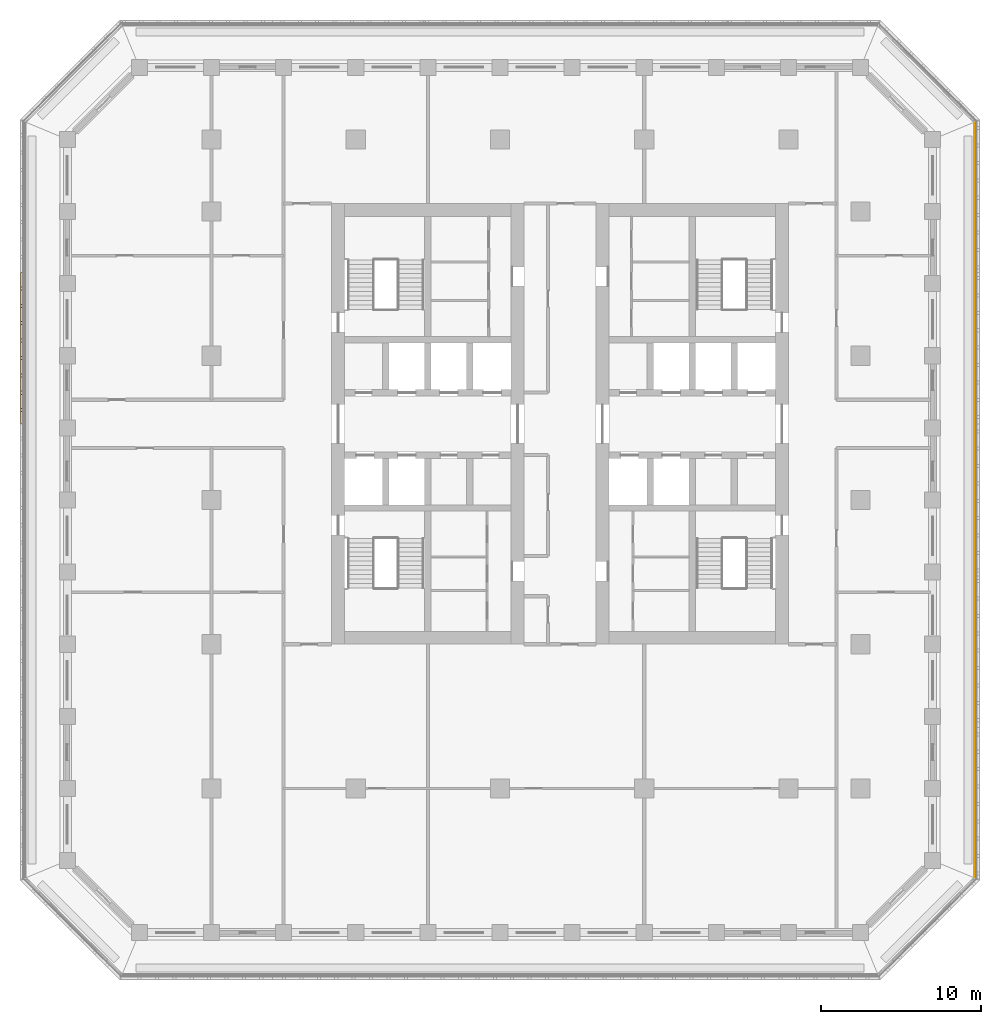
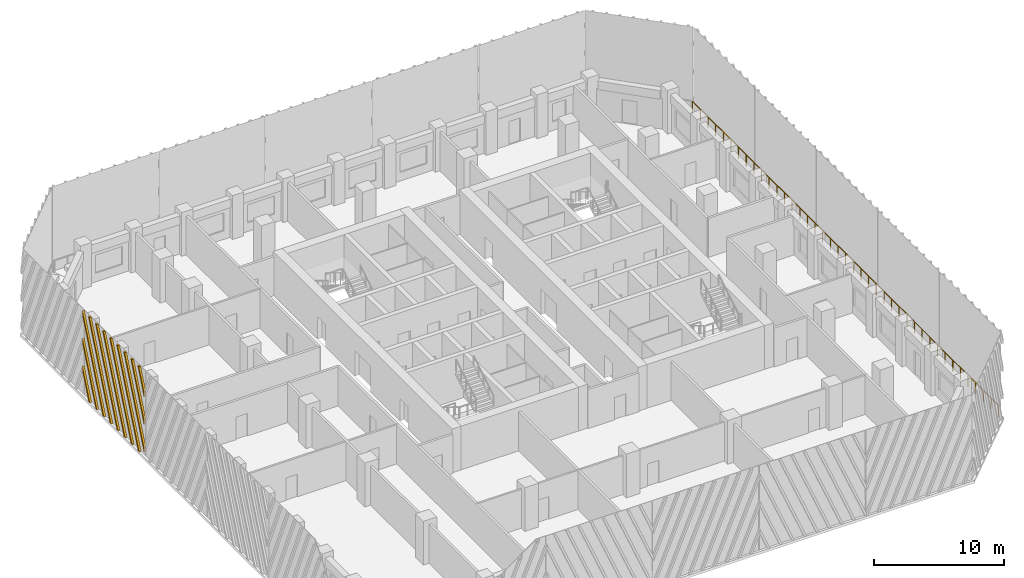
# One storey, part 12 of 16: 1 railing, 1 shading device.
"""IFC4 building model written with IfcOpenShell, lengths in metres."""

from ifc_helpers import new_model, si_unit, direction, frame, origin, origin_2d, place, context, subcontext, project, spatial, polyline, circle, outline, extrude, source, transform, mapped, material, type_object, element, save


model = new_model("IFC4")

# Units and contexts
model_context = context("Model", 3, precision=1e-05, world=origin(), true_north=direction((0.0, 1.0)))
body_context = subcontext(model_context, "Body", "Model", "MODEL_VIEW")
ifc_project = project(units=[si_unit("LENGTHUNIT", "METRE"), si_unit("AREAUNIT", "SQUARE_METRE"), si_unit("VOLUMEUNIT", "CUBIC_METRE"), si_unit("PLANEANGLEUNIT", "RADIAN"), si_unit("MASSUNIT", "GRAM", prefix="KILO")], contexts=[model_context])

# Site, building, storey
site_placement = place(None, origin())
site = spatial("IfcSite", under=ifc_project, at=site_placement, CompositionType="ELEMENT")
building_placement = place(site_placement, origin())
building = spatial("IfcBuilding", under=site, at=building_placement, Name="Corbel Stack Research Tower", CompositionType="ELEMENT")
storey_placement = place(building_placement, frame((0.0, 0.0, 165.0)))
storey = spatial("IfcBuildingStorey", under=building, at=storey_placement, Name="L37", CompositionType="ELEMENT", Elevation=165.0)

# Railing
ifc_material_1 = material(Name="Powder-coated steel guard", Category="steel")
railing_type = type_object("IfcRailingType", Name="Steel and glass guard 1100", PredefinedType="GUARDRAIL", material=ifc_material_1)
railing_placement = place(storey_placement, frame((29.60009765625, -23.50537109375, 0.0)))
element("IfcRailing", 1, at=railing_placement, inside=storey, type_object=railing_type, Name="Loggia guard L37 E", PredefinedType="GUARDRAIL", context=body_context, shape_type="SweptSolid", body=[
    extrude(circle(Radius=0.02392578125, at=origin_2d()), frame((0.0, 0.0, 1.076171875), z_axis=(0.0, 1.0, 0.0), x_axis=(-1.0, 0.0, 0.0)), (0.0, 0.0, 1.0), 47.0107421875),
    extrude(circle(Radius=0.02099609375, at=origin_2d()), origin(), (0.0, 0.0, 1.0), 1.052001953125),
    extrude(circle(Radius=0.02099609375, at=origin_2d()), frame((0.0, 1.17529296875, 0.0)), (0.0, 0.0, 1.0), 1.052001953125),
    extrude(circle(Radius=0.02099609375, at=origin_2d()), frame((0.0, 2.3505859375, 0.0)), (0.0, 0.0, 1.0), 1.052001953125),
    extrude(circle(Radius=0.02099609375, at=origin_2d()), frame((0.0, 3.52587890625, 0.0)), (0.0, 0.0, 1.0), 1.052001953125),
    extrude(circle(Radius=0.02099609375, at=origin_2d()), frame((0.0, 4.701171875, 0.0)), (0.0, 0.0, 1.0), 1.052001953125),
    extrude(circle(Radius=0.02099609375, at=origin_2d()), frame((0.0, 5.87646484375, 0.0)), (0.0, 0.0, 1.0), 1.052001953125),
    extrude(circle(Radius=0.02099609375, at=origin_2d()), frame((0.0, 7.051513671875, 0.0)), (0.0, 0.0, 1.0), 1.052001953125),
    extrude(circle(Radius=0.02099609375, at=origin_2d()), frame((0.0, 8.226806640625, 0.0)), (0.0, 0.0, 1.0), 1.052001953125),
    extrude(circle(Radius=0.02099609375, at=origin_2d()), frame((0.0, 9.402099609375, 0.0)), (0.0, 0.0, 1.0), 1.052001953125),
    extrude(circle(Radius=0.02099609375, at=origin_2d()), frame((0.0, 10.577392578125, 0.0)), (0.0, 0.0, 1.0), 1.052001953125),
    extrude(circle(Radius=0.02099609375, at=origin_2d()), frame((0.0, 11.752685546875, 0.0)), (0.0, 0.0, 1.0), 1.052001953125),
    extrude(circle(Radius=0.02099609375, at=origin_2d()), frame((0.0, 12.927978515625, 0.0)), (0.0, 0.0, 1.0), 1.052001953125),
    extrude(circle(Radius=0.02099609375, at=origin_2d()), frame((0.0, 14.103271484375, 0.0)), (0.0, 0.0, 1.0), 1.052001953125),
    extrude(circle(Radius=0.02099609375, at=origin_2d()), frame((0.0, 15.278564453125, 0.0)), (0.0, 0.0, 1.0), 1.052001953125),
    extrude(circle(Radius=0.02099609375, at=origin_2d()), frame((0.0, 16.453857421875, 0.0)), (0.0, 0.0, 1.0), 1.052001953125),
    extrude(circle(Radius=0.02099609375, at=origin_2d()), frame((0.0, 17.62890625, 0.0)), (0.0, 0.0, 1.0), 1.052001953125),
    extrude(circle(Radius=0.02099609375, at=origin_2d()), frame((0.0, 18.80419921875, 0.0)), (0.0, 0.0, 1.0), 1.052001953125),
    extrude(circle(Radius=0.02099609375, at=origin_2d()), frame((0.0, 19.9794921875, 0.0)), (0.0, 0.0, 1.0), 1.052001953125),
    extrude(circle(Radius=0.02099609375, at=origin_2d()), frame((0.0, 21.15478515625, 0.0)), (0.0, 0.0, 1.0), 1.052001953125),
    extrude(circle(Radius=0.02099609375, at=origin_2d()), frame((0.0, 22.330078125, 0.0)), (0.0, 0.0, 1.0), 1.052001953125),
    extrude(circle(Radius=0.02099609375, at=origin_2d()), frame((0.0, 23.50537109375, 0.0)), (0.0, 0.0, 1.0), 1.052001953125),
    extrude(circle(Radius=0.02099609375, at=origin_2d()), frame((0.0, 24.6806640625, 0.0)), (0.0, 0.0, 1.0), 1.052001953125),
    extrude(circle(Radius=0.02099609375, at=origin_2d()), frame((0.0, 25.85595703125, 0.0)), (0.0, 0.0, 1.0), 1.052001953125),
    extrude(circle(Radius=0.02099609375, at=origin_2d()), frame((0.0, 27.03125, 0.0)), (0.0, 0.0, 1.0), 1.052001953125),
    extrude(circle(Radius=0.02099609375, at=origin_2d()), frame((0.0, 28.20654296875, 0.0)), (0.0, 0.0, 1.0), 1.052001953125),
    extrude(circle(Radius=0.02099609375, at=origin_2d()), frame((0.0, 29.3818359375, 0.0)), (0.0, 0.0, 1.0), 1.052001953125),
    extrude(circle(Radius=0.02099609375, at=origin_2d()), frame((0.0, 30.556884765625, 0.0)), (0.0, 0.0, 1.0), 1.052001953125),
    extrude(circle(Radius=0.02099609375, at=origin_2d()), frame((0.0, 31.732177734375, 0.0)), (0.0, 0.0, 1.0), 1.052001953125),
    extrude(circle(Radius=0.02099609375, at=origin_2d()), frame((0.0, 32.907470703125, 0.0)), (0.0, 0.0, 1.0), 1.052001953125),
    extrude(circle(Radius=0.02099609375, at=origin_2d()), frame((0.0, 34.082763671875, 0.0)), (0.0, 0.0, 1.0), 1.052001953125),
    extrude(circle(Radius=0.02099609375, at=origin_2d()), frame((0.0, 35.258056640625, 0.0)), (0.0, 0.0, 1.0), 1.052001953125),
    extrude(circle(Radius=0.02099609375, at=origin_2d()), frame((0.0, 36.433349609375, 0.0)), (0.0, 0.0, 1.0), 1.052001953125),
    extrude(circle(Radius=0.02099609375, at=origin_2d()), frame((0.0, 37.608642578125, 0.0)), (0.0, 0.0, 1.0), 1.052001953125),
    extrude(circle(Radius=0.02099609375, at=origin_2d()), frame((0.0, 38.783935546875, 0.0)), (0.0, 0.0, 1.0), 1.052001953125),
    extrude(circle(Radius=0.02099609375, at=origin_2d()), frame((0.0, 39.959228515625, 0.0)), (0.0, 0.0, 1.0), 1.052001953125),
    extrude(circle(Radius=0.02099609375, at=origin_2d()), frame((0.0, 41.13427734375, 0.0)), (0.0, 0.0, 1.0), 1.052001953125),
    extrude(circle(Radius=0.02099609375, at=origin_2d()), frame((0.0, 42.3095703125, 0.0)), (0.0, 0.0, 1.0), 1.052001953125),
    extrude(circle(Radius=0.02099609375, at=origin_2d()), frame((0.0, 43.48486328125, 0.0)), (0.0, 0.0, 1.0), 1.052001953125),
    extrude(circle(Radius=0.02099609375, at=origin_2d()), frame((0.0, 44.66015625, 0.0)), (0.0, 0.0, 1.0), 1.052001953125),
    extrude(circle(Radius=0.02099609375, at=origin_2d()), frame((0.0, 45.83544921875, 0.0)), (0.0, 0.0, 1.0), 1.052001953125),
    extrude(circle(Radius=0.02099609375, at=origin_2d()), frame((0.0, 47.0107421875, 0.0)), (0.0, 0.0, 1.0), 1.052001953125),
])

# Shading device
ifc_material_2 = material(Name="Precast terracotta", Category="masonry")
shading_device_type = type_object("IfcShadingDeviceType", Name="Terracotta screen panel", PredefinedType="USERDEFINED", material=ifc_material_2)
shared_shape = source(origin(), body_context, "Body", "SweptSolid", [
    extrude(outline(polyline([(1.14453125, 0.0), (0.0, 2.740478515625), (0.0, 2.285400390625), (0.95458984375, 0.0), (1.14453125, 0.0)])), frame((0.0, 0.0, 0.0), z_axis=(0.0, -1.0, 0.0), x_axis=(1.0, 0.0, 0.0)), (0.0, 0.0, 1.0), 0.179931640625),
    extrude(outline(polyline([(2.22900390625, 0.0), (0.0, 5.337646484375), (0.0, 4.882568359375), (2.0390625, 0.0), (2.22900390625, 0.0)])), frame((0.0, 0.0, 0.0), z_axis=(0.0, -1.0, 0.0), x_axis=(1.0, 0.0, 0.0)), (0.0, 0.0, 1.0), 0.179931640625),
    extrude(outline(polyline([(3.313720703125, 0.0), (0.0, 7.934814453125), (0.0, 7.479736328125), (3.123779296875, 0.0), (3.313720703125, 0.0)])), frame((0.0, 0.0, 0.0), z_axis=(0.0, -1.0, 0.0), x_axis=(1.0, 0.0, 0.0)), (0.0, 0.0, 1.0), 0.179931640625),
    extrude(outline(polyline([(4.3984375, 0.0), (1.078369140625, 7.949951171875), (0.88818359375, 7.949951171875), (4.20849609375, 0.0), (4.3984375, 0.0)])), frame((0.0, 0.0, 0.0), z_axis=(0.0, -1.0, 0.0), x_axis=(1.0, 0.0, 0.0)), (0.0, 0.0, 1.0), 0.179931640625),
    extrude(outline(polyline([(5.483154296875, 0.0), (2.1630859375, 7.949951171875), (1.972900390625, 7.949951171875), (5.293212890625, 0.0), (5.483154296875, 0.0)])), frame((0.0, 0.0, 0.0), z_axis=(0.0, -1.0, 0.0), x_axis=(1.0, 0.0, 0.0)), (0.0, 0.0, 1.0), 0.179931640625),
    extrude(outline(polyline([(6.56787109375, 0.0), (3.24755859375, 7.949951171875), (3.0576171875, 7.949951171875), (6.377685546875, 0.0), (6.56787109375, 0.0)])), frame((0.0, 0.0, 0.0), z_axis=(0.0, -1.0, 0.0), x_axis=(1.0, 0.0, 0.0)), (0.0, 0.0, 1.0), 0.179931640625),
    extrude(outline(polyline([(7.652587890625, 0.0), (4.332275390625, 7.949951171875), (4.142333984375, 7.949951171875), (7.46240234375, 0.0), (7.652587890625, 0.0)])), frame((0.0, 0.0, 0.0), z_axis=(0.0, -1.0, 0.0), x_axis=(1.0, 0.0, 0.0)), (0.0, 0.0, 1.0), 0.179931640625),
    extrude(outline(polyline([(8.737060546875, 0.0), (5.4169921875, 7.949951171875), (5.22705078125, 7.949951171875), (8.547119140625, 0.0), (8.737060546875, 0.0)])), frame((0.0, 0.0, 0.0), z_axis=(0.0, -1.0, 0.0), x_axis=(1.0, 0.0, 0.0)), (0.0, 0.0, 1.0), 0.179931640625),
    extrude(outline(polyline([(6.501708984375, 7.949951171875), (6.3115234375, 7.949951171875), (9.45556640625, 0.421875), (9.45556640625, 0.876708984375), (6.501708984375, 7.949951171875)])), frame((0.0, 0.0, 0.0), z_axis=(0.0, -1.0, 0.0), x_axis=(1.0, 0.0, 0.0)), (0.0, 0.0, 1.0), 0.179931640625),
    extrude(outline(polyline([(7.586181640625, 7.949951171875), (7.396240234375, 7.949951171875), (9.45556640625, 3.01904296875), (9.45556640625, 3.473876953125), (7.586181640625, 7.949951171875)])), frame((0.0, 0.0, 0.0), z_axis=(0.0, -1.0, 0.0), x_axis=(1.0, 0.0, 0.0)), (0.0, 0.0, 1.0), 0.179931640625),
    extrude(outline(polyline([(8.6708984375, 7.949951171875), (8.48095703125, 7.949951171875), (9.45556640625, 5.6162109375), (9.45556640625, 6.071044921875), (8.6708984375, 7.949951171875)])), frame((0.0, 0.0, 0.0), z_axis=(0.0, -1.0, 0.0), x_axis=(1.0, 0.0, 0.0)), (0.0, 0.0, 1.0), 0.179931640625),
])
shading_device_placement = place(storey_placement, frame((-29.75, 14.18359375, 0.0), z_axis=(0.0, 0.0, 1.0), x_axis=(0.0, -1.0, 0.0)))
element("IfcShadingDevice", 2, at=shading_device_placement, inside=storey, type_object=shading_device_type, Name="Terracotta screen L37 W2", ObjectType="SCREEN", PredefinedType="USERDEFINED", context=body_context, shape_type="MappedRepresentation", body=[
    mapped(shared_shape, transform((0.0, 0.0, 0.0))),
])

save(model, "model.ifc")
